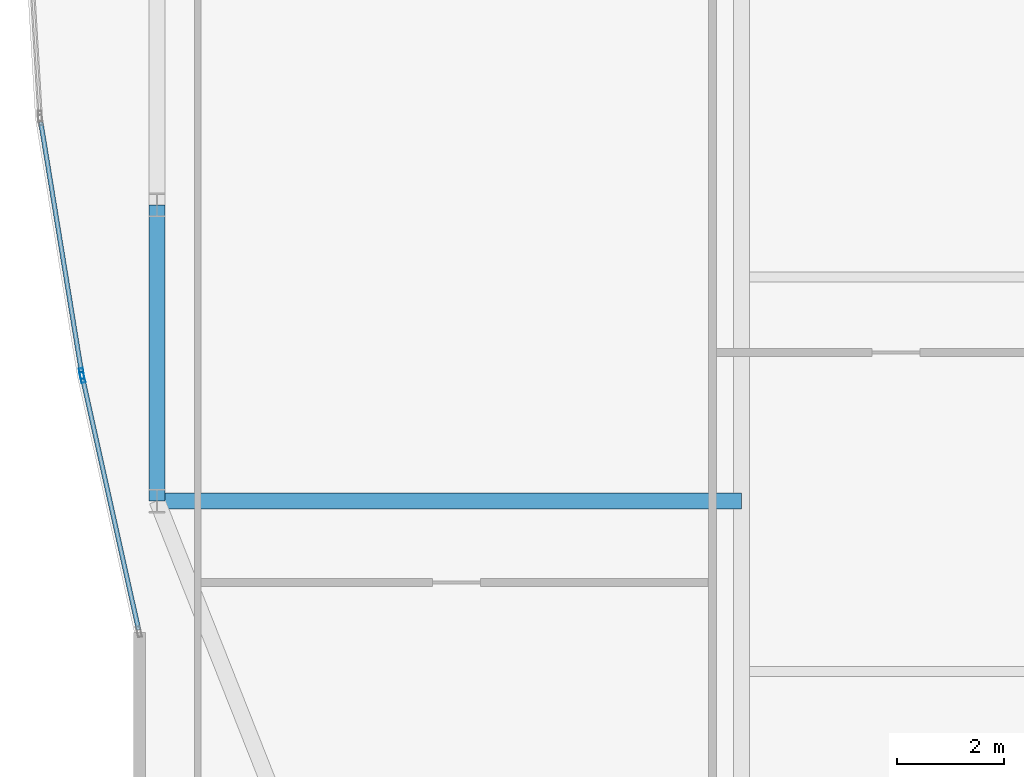
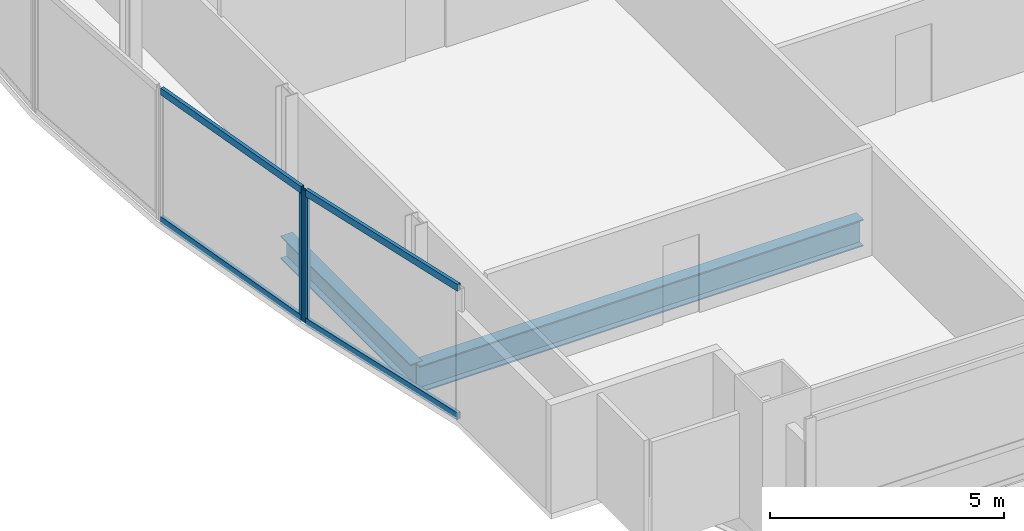
# One storey, part 6 of 30: 6 members, 2 beams, 2 elements without a shape of their own.
"""IFC4 building model written with IfcOpenShell, lengths in metres."""

from ifc_helpers import new_model, si_unit, direction, frame, origin, origin_2d, place, context, subcontext, project, spatial, hollow_rectangle, i_section, extrude, material, material_profile, profile_set, type_object, element, aggregate, save


model = new_model("IFC4")

# Units and contexts
model_context = context("Model", 3, precision=1e-05, world=origin(), true_north=direction((0.0, 1.0)))
body_context = subcontext(model_context, "Body", "Model", "MODEL_VIEW")
ifc_project = project(units=[si_unit("LENGTHUNIT", "METRE"), si_unit("AREAUNIT", "SQUARE_METRE"), si_unit("VOLUMEUNIT", "CUBIC_METRE"), si_unit("PLANEANGLEUNIT", "RADIAN"), si_unit("MASSUNIT", "GRAM", prefix="KILO")], contexts=[model_context])

# Site, building, storey
site_placement = place(None, origin())
site = spatial("IfcSite", under=ifc_project, at=site_placement, CompositionType="ELEMENT")
building_placement = place(site_placement, origin())
building = spatial("IfcBuilding", under=site, at=building_placement, Name="Khoronbel Lancet Exchange", CompositionType="ELEMENT")
storey_placement = place(building_placement, frame((0.0, 0.0, 213.800048828125)))
storey = spatial("IfcBuildingStorey", under=building, at=storey_placement, Name="L54", CompositionType="ELEMENT", Elevation=213.800048828125)

# Beams
ifc_material_1 = material(Name="Steel S355", Category="steel")
ifc_material_profile_1 = material_profile(ifc_material_1, i_section(OverallWidth=0.300048828125, OverallDepth=0.699951171875, WebThickness=0.01708984375, FlangeThickness=0.031982421875, at=origin_2d()), Name="HEB 700")
ifc_profile_set_1 = profile_set([ifc_material_profile_1], Name="Steel S355")
beam_type_1 = type_object("IfcBeamType", Name="BM-BG3", PredefinedType="BEAM", material=ifc_profile_set_1)
beam_1_placement = place(storey_placement, frame((7.27001953125, 19.199951171875, -0.510009765625), z_axis=(1.0, 0.0, 0.0), x_axis=(0.0, 1.0, 0.0)))
element("IfcBeam", 1, at=beam_1_placement, inside=storey, type_object=beam_type_1, Name="Level L54 west lens tie girder LG1W", PredefinedType="BEAM", context=body_context, shape_type="SweptSolid", body=[
    extrude(i_section(OverallWidth=0.300048828125, OverallDepth=0.699951171875, WebThickness=0.01708984375, FlangeThickness=0.031982421875, at=origin_2d()), origin(), (0.0, 0.0, 1.0), 10.955078125),
])
ifc_material_profile_2 = material_profile(ifc_material_1, i_section(OverallWidth=0.300048828125, OverallDepth=0.60009765625, WebThickness=0.015380859375, FlangeThickness=0.030029296875, at=origin_2d()), Name="HEB 600")
ifc_profile_set_2 = profile_set([ifc_material_profile_2], Name="Steel S355")
beam_type_2 = type_object("IfcBeamType", Name="BM-BSP2", PredefinedType="SPANDREL", material=ifc_profile_set_2)
beam_2_placement = place(storey_placement, frame((7.27001953125, 24.75, -0.4599609375), z_axis=(0.0, -1.0, 0.0), x_axis=(1.0, 0.0, 0.0)))
element("IfcBeam", 2, at=beam_2_placement, inside=storey, type_object=beam_type_2, Name="Level L54 perimeter spandrel beam SP20", PredefinedType="SPANDREL", context=body_context, shape_type="SweptSolid", body=[
    extrude(i_section(OverallWidth=0.300048828125, OverallDepth=0.60009765625, WebThickness=0.015380859375, FlangeThickness=0.030029296875, at=origin_2d()), origin(), (0.0, 0.0, 1.0), 5.550048828125),
])

# Curtain wall, member
ifc_material_2 = material(Name="Low-E Solar Control Insulating Glass", Category="glass")
curtain_wall_type = type_object("IfcCurtainWallType", Name="CW-4", PredefinedType="NOTDEFINED", material=ifc_material_2)
curtain_wall_1_placement = place(storey_placement, origin())
curtain_wall_1 = element("IfcCurtainWall", 3, at=curtain_wall_1_placement, inside=storey, type_object=curtain_wall_type, Name="Unitised curtain wall CW-L54-E04", PredefinedType="NOTDEFINED")
ifc_material_3 = material(Name="Bronze-Anodised Aluminium 6063-T6", Category="aluminium")
ifc_material_profile_3 = material_profile(ifc_material_3, hollow_rectangle(XDim=0.074951171875, YDim=0.199951171875, WallThickness=0.0048828125, at=origin_2d()), Name="ALU MULLION 75x200")
ifc_profile_set_3 = profile_set([ifc_material_profile_3], Name="Bronze-Anodised Aluminium 6063-T6")
member_type_1 = type_object("IfcMemberType", Name="MEM-CWM2", PredefinedType="MULLION", material=ifc_profile_set_3)
member_1_placement = place(storey_placement, frame((5.87158203125, 21.513671875, 0.0), z_axis=(0.0, 0.0, 1.0), x_axis=(-0.976146235114, -0.217114089072, 0.0)))
member_1 = element("IfcMember", 4, at=member_1_placement, type_object=member_type_1, Name="CW4 mullion 2", PredefinedType="MULLION", context=body_context, shape_type="SweptSolid", body=[
    extrude(hollow_rectangle(XDim=0.074951171875, YDim=0.199951171875, WallThickness=0.0048828125, at=origin_2d()), origin(), (0.0, 0.0, 1.0), 3.43994140625),
])

curtain_wall_2_placement = place(storey_placement, origin())
curtain_wall_2 = element("IfcCurtainWall", 5, at=curtain_wall_2_placement, inside=storey, type_object=curtain_wall_type, Name="Unitised curtain wall CW-L54-E05", PredefinedType="NOTDEFINED")
member_2_placement = place(storey_placement, frame((5.857421875, 21.58740234375, 0.0), z_axis=(0.0, 0.0, 1.0), x_axis=(-0.987003272186, -0.16070015773, 0.0)))
member_2 = element("IfcMember", 6, at=member_2_placement, type_object=member_type_1, Name="CW4 mullion 1", PredefinedType="MULLION", context=body_context, shape_type="SweptSolid", body=[
    extrude(hollow_rectangle(XDim=0.074951171875, YDim=0.199951171875, WallThickness=0.0048828125, at=origin_2d()), origin(), (0.0, 0.0, 1.0), 3.43994140625),
])

# Member
ifc_material_profile_4 = material_profile(ifc_material_3, hollow_rectangle(XDim=0.0849609375, YDim=0.179931640625, WallThickness=0.0048828125, at=origin_2d()), Name="ALU TRANSOM 85x180")
ifc_profile_set_4 = profile_set([ifc_material_profile_4], Name="Bronze-Anodised Aluminium 6063-T6")
member_type_2 = type_object("IfcMemberType", Name="MEM-CWT1", PredefinedType="USERDEFINED", material=ifc_profile_set_4)
member_3_placement = place(storey_placement, frame((6.923828125, 16.783203125, 0.04248046875), z_axis=(-0.217150861504, 0.976138055476, 0.0), x_axis=(-0.976138055476, -0.217150861504, 0.0)))
member_3 = element("IfcMember", 7, at=member_3_placement, type_object=member_type_2, Name="CW4 transom 1.1", ObjectType="TRANSOM", PredefinedType="USERDEFINED", context=body_context, shape_type="SweptSolid", body=[
    extrude(hollow_rectangle(XDim=0.0849609375, YDim=0.179931640625, WallThickness=0.0048828125, at=origin_2d()), origin(), (0.0, 0.0, 1.0), 4.80859375),
])

member_4_placement = place(storey_placement, frame((6.923828125, 16.783203125, 3.3974609375), z_axis=(-0.217150861504, 0.976138055476, 0.0), x_axis=(-0.976138055476, -0.217150861504, 0.0)))
member_4 = element("IfcMember", 8, at=member_4_placement, type_object=member_type_2, Name="CW4 transom 1.2", ObjectType="TRANSOM", PredefinedType="USERDEFINED", context=body_context, shape_type="SweptSolid", body=[
    extrude(hollow_rectangle(XDim=0.0849609375, YDim=0.179931640625, WallThickness=0.0048828125, at=origin_2d()), origin(), (0.0, 0.0, 1.0), 4.80859375),
])

aggregate(curtain_wall_1, [member_1, member_3, member_4])

member_5_placement = place(storey_placement, frame((5.851318359375, 21.624267578125, 0.04248046875), z_axis=(-0.16070594252, 0.987002330311, 0.0), x_axis=(-0.987002330311, -0.16070594252, 0.0)))
member_5 = element("IfcMember", 9, at=member_5_placement, type_object=member_type_2, Name="CW4 transom 1.1", ObjectType="TRANSOM", PredefinedType="USERDEFINED", context=body_context, shape_type="SweptSolid", body=[
    extrude(hollow_rectangle(XDim=0.0849609375, YDim=0.179931640625, WallThickness=0.0048828125, at=origin_2d()), origin(), (0.0, 0.0, 1.0), 4.73974609375),
])

member_6_placement = place(storey_placement, frame((5.851318359375, 21.624267578125, 3.3974609375), z_axis=(-0.16070594252, 0.987002330311, 0.0), x_axis=(-0.987002330311, -0.16070594252, 0.0)))
member_6 = element("IfcMember", 10, at=member_6_placement, type_object=member_type_2, Name="CW4 transom 1.2", ObjectType="TRANSOM", PredefinedType="USERDEFINED", context=body_context, shape_type="SweptSolid", body=[
    extrude(hollow_rectangle(XDim=0.0849609375, YDim=0.179931640625, WallThickness=0.0048828125, at=origin_2d()), origin(), (0.0, 0.0, 1.0), 4.73974609375),
])

aggregate(curtain_wall_2, [member_2, member_5, member_6])

save(model, "model.ifc")
